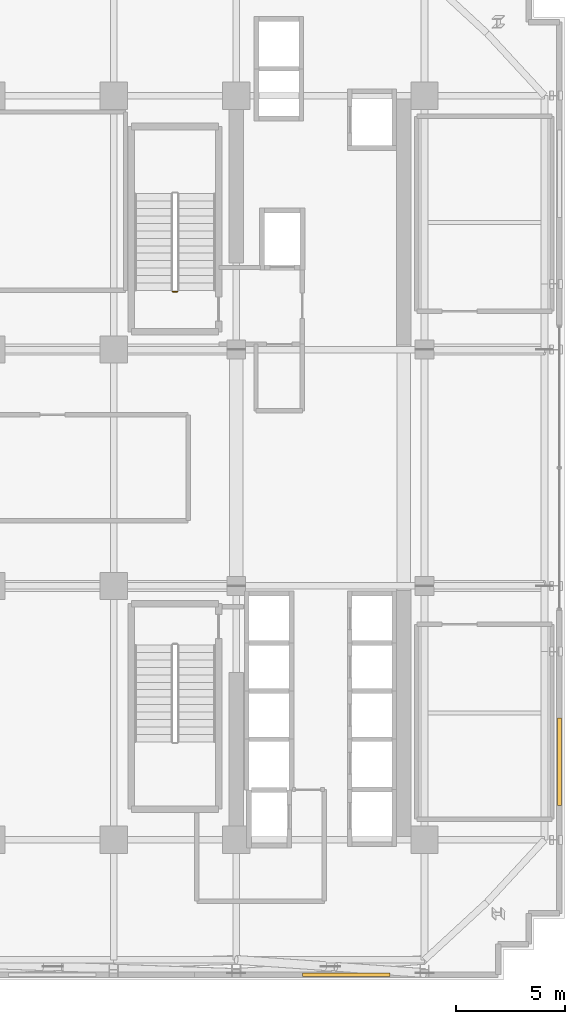
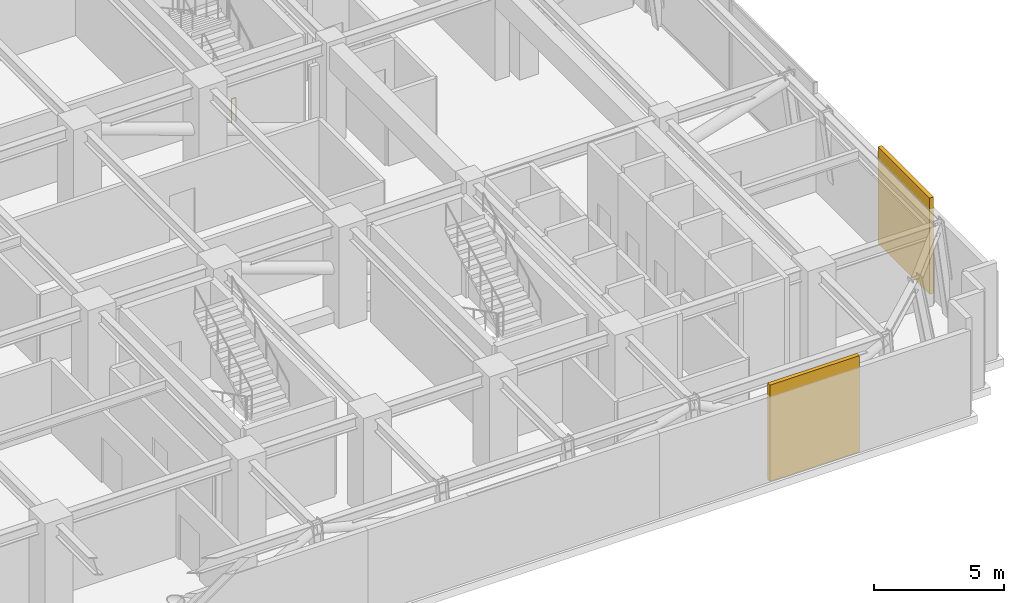
# One storey, part 13 of 15: 2 shading devices, 1 railing.
"""IFC4 building model written with IfcOpenShell, lengths in metres."""

from ifc_helpers import new_model, si_unit, direction, frame, origin, origin_2d, place, context, subcontext, project, spatial, rectangle, circle, extrude, source, transform, mapped, material, layer, layer_set, type_object, element, save


model = new_model("IFC4")

# Units and contexts
model_context = context("Model", 3, precision=1e-05, world=origin(), true_north=direction((0.0, 1.0)))
body_context = subcontext(model_context, "Body", "Model", "MODEL_VIEW")
ifc_project = project(units=[si_unit("LENGTHUNIT", "METRE"), si_unit("AREAUNIT", "SQUARE_METRE"), si_unit("VOLUMEUNIT", "CUBIC_METRE"), si_unit("PLANEANGLEUNIT", "RADIAN"), si_unit("MASSUNIT", "GRAM", prefix="KILO")], contexts=[model_context])

# Site, building, storey
site_placement = place(None, origin())
site = spatial("IfcSite", under=ifc_project, at=site_placement, CompositionType="ELEMENT")
building_placement = place(site_placement, origin())
building = spatial("IfcBuilding", under=site, at=building_placement, Name="Nahalor Promenade Grand Hotel", CompositionType="ELEMENT")
storey_placement = place(building_placement, frame((0.0, 0.0, 144.199951171875)))
storey = spatial("IfcBuildingStorey", under=building, at=storey_placement, Name="L36", CompositionType="ELEMENT", Elevation=144.199951171875)

# Railing
ifc_material_1 = material(Name="Steel S355JR", Category="steel")
railing_type = type_object("IfcRailingType", Name="Steel Stair Guardrail 1150 mm", PredefinedType="GUARDRAIL", material=ifc_material_1)
railing_placement = place(storey_placement, frame((5.699951171875, 8.050048828125, 0.0)))
element("IfcRailing", 1, at=railing_placement, inside=storey, type_object=railing_type, Name="L36 ST1 stair guard 4", PredefinedType="GUARDRAIL", context=body_context, shape_type="SweptSolid", body=[
    extrude(circle(Radius=0.024048, at=origin_2d()), frame((0.0, 0.0, 1.1259765625), z_axis=(-1.0, 0.0, 0.0), x_axis=(0.0, -1.0, 0.0)), (0.0, 0.0, 1.0), 0.199951171875),
    extrude(circle(Radius=0.020996, at=origin_2d()), origin(), (0.0, 0.0, 1.0), 1.099853515625),
    extrude(circle(Radius=0.020996, at=origin_2d()), frame((-0.199951171875, 0.0, 0.0)), (0.0, 0.0, 1.0), 1.099853515625),
])

# Shading devices
ifc_material_2 = material(Name="Anodised Bronze Aluminium EN AW-6063 T6", Category="aluminium")
ifc_layer = layer(ifc_material_2, 0.179931640625)
ifc_layer_set = layer_set([ifc_layer], Name="Anodised Bronze Aluminium EN AW-6063 T6")
shading_device_type = type_object("IfcShadingDeviceType", Name="Shade-PlantLouvre-Bronze", PredefinedType="USERDEFINED", material=ifc_layer_set)
shared_shape = source(origin(), body_context, "Body", "SweptSolid", [
    extrude(rectangle(XDim=4.0, YDim=0.179931640625, at=origin_2d()), origin(), (0.0, 0.0, 1.0), 4.5400390625),
])
for number, where, z_axis, x_axis, name in (
    (2, (13.429931640625, -23.159912109375, 0.0), (0.0, 0.0, 1.0), (1.0, 0.0, 0.0), "LV-L36-SR"),
    (3, (23.159912109375, -13.429931640625, 0.0), (0.0, 0.0, 1.0), (0.0, 1.0, 0.0), "LV-L36-EL"),
):
    element("IfcShadingDevice", number, at=place(storey_placement, frame(where, z_axis=z_axis, x_axis=x_axis)), inside=storey, type_object=shading_device_type, Name=name, ObjectType="LOUVRE", PredefinedType="USERDEFINED", context=body_context, shape_type="MappedRepresentation", body=[
        mapped(shared_shape, transform((0.0, 0.0, 0.0), scale=1.0)),
    ])

save(model, "model.ifc")
